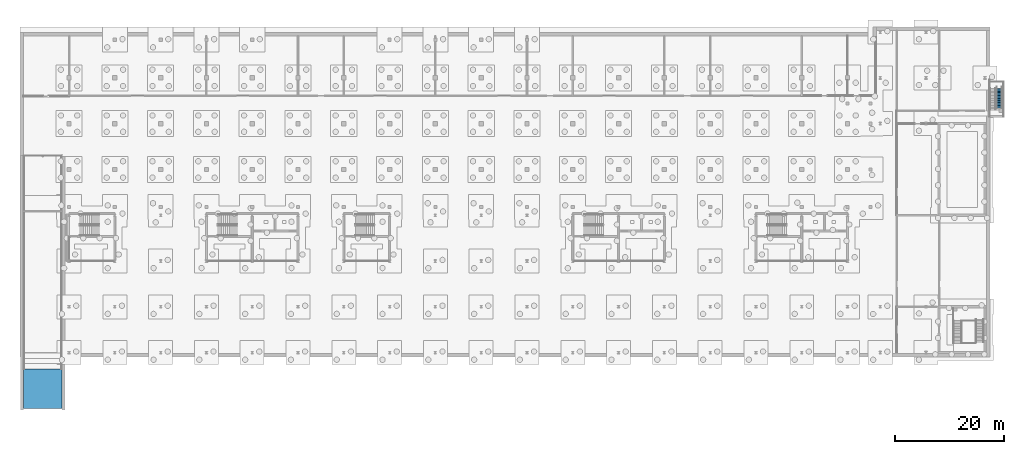
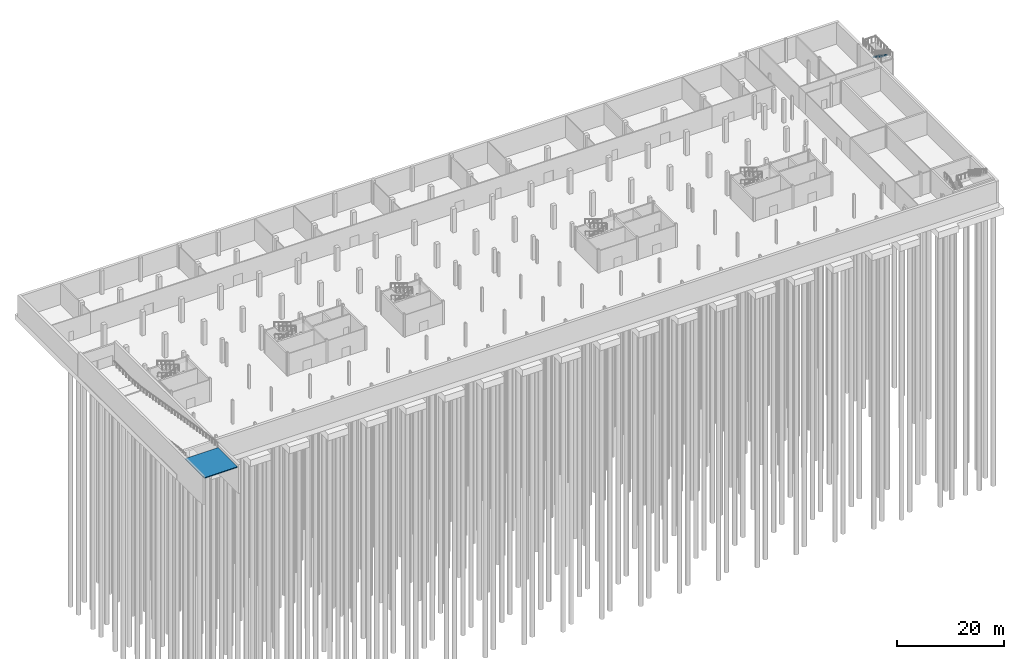
# One storey, part 23 of 29: 1 ramp flight, 1 stair flight, 2 elements without a shape of their own.
"""IFC4 building model written with IfcOpenShell, lengths in metres."""

from ifc_helpers import new_model, si_unit, direction, frame, origin, place, context, subcontext, project, spatial, polyline, outline, extrude, material, layer, layer_set, type_object, element, aggregate, save


model = new_model("IFC4")

# Units and contexts
model_context = context("Model", 3, precision=1e-05, world=origin(), true_north=direction((0.0, 1.0)))
body_context = subcontext(model_context, "Body", "Model", "MODEL_VIEW")
ifc_project = project(units=[si_unit("LENGTHUNIT", "METRE"), si_unit("AREAUNIT", "SQUARE_METRE"), si_unit("VOLUMEUNIT", "CUBIC_METRE"), si_unit("PLANEANGLEUNIT", "RADIAN"), si_unit("MASSUNIT", "GRAM", prefix="KILO")], contexts=[model_context])

# Site, building, storey
site_placement = place(None, origin())
site = spatial("IfcSite", under=ifc_project, at=site_placement, CompositionType="ELEMENT")
building_placement = place(site_placement, origin())
building = spatial("IfcBuilding", under=site, at=building_placement, Name="Cresset Court Congress Hotel", CompositionType="ELEMENT")
storey_placement = place(building_placement, frame((0.0, 0.0, -5.39990234375)))
storey = spatial("IfcBuildingStorey", under=building, at=storey_placement, Name="B1", CompositionType="ELEMENT", Elevation=-5.39990234375)

# Stair, stair flight
ifc_material_1 = material(Name="Concrete C40", Category="concrete")
stair_type = type_object("IfcStairType", Name="Concrete dog-leg stair 2300", PredefinedType="HALF_TURN_STAIR", material=ifc_material_1)
stair_placement = place(storey_placement, origin())
stair = element("IfcStair", 1, at=stair_placement, inside=storey, type_object=stair_type, Name="Stair A3 B1", PredefinedType="HALF_TURN_STAIR")
ifc_material_2 = material(Name="Concrete C40", Category="concrete")
stair_flight_type = type_object("IfcStairFlightType", Name="Concrete stair flight external", PredefinedType="STRAIGHT", material=ifc_material_2)
stair_flight_placement = place(storey_placement, frame((179.050048828125, 48.7099609375, 2.699951171875), z_axis=(0.0, 0.0, 1.0), x_axis=(0.0, -1.0, 0.0)))
stair_flight = element("IfcStairFlight", 2, at=stair_flight_placement, type_object=stair_flight_type, Name="A-ST3 flight 2", NumberOfRisers=16, NumberOfTreads=15, PredefinedType="STRAIGHT", RiserHeight=0.16875, TreadLength=0.26, context=body_context, shape_type="SweptSolid", body=[
    extrude(outline(polyline([(0.0, 0.0), (0.0, 0.168701171875), (0.260009765625, 0.168701171875), (0.260009765625, 0.33740234375), (0.52001953125, 0.33740234375), (0.52001953125, 0.50634765625), (0.780029296875, 0.50634765625), (0.780029296875, 0.675048828125), (1.0400390625, 0.675048828125), (1.0400390625, 0.84375), (1.300048828125, 0.84375), (1.300048828125, 1.012451171875), (1.56005859375, 1.012451171875), (1.56005859375, 1.18115234375), (1.820068359375, 1.18115234375), (1.820068359375, 1.35009765625), (2.080078125, 1.35009765625), (2.080078125, 1.518798828125), (2.340087890625, 1.518798828125), (2.340087890625, 1.6875), (2.60009765625, 1.6875), (2.60009765625, 1.856201171875), (2.860107421875, 1.856201171875), (2.860107421875, 2.02490234375), (3.1201171875, 2.02490234375), (3.1201171875, 2.19384765625), (3.3798828125, 2.19384765625), (3.3798828125, 2.362548828125), (3.639892578125, 2.362548828125), (3.639892578125, 2.53125), (3.89990234375, 2.53125), (3.89990234375, 2.699951171875), (3.89990234375, 2.3525390625), (0.275390625, 0.0), (0.0, 0.0)])), frame((0.0, 0.550048828125, 0.0), z_axis=(0.0, -1.0, 0.0), x_axis=(1.0, 0.0, 0.0)), (0.0, 0.0, 1.0), 1.10009765625),
])
aggregate(stair, [stair_flight])

# Ramp, ramp flight
ifc_material_3 = material(Name="Concrete C40", Category="concrete")
ramp_type = type_object("IfcRampType", Name="Car ramp 1:6", PredefinedType="STRAIGHT_RUN_RAMP", material=ifc_material_3)
ramp_placement = place(storey_placement, origin())
ramp = element("IfcRamp", 3, at=ramp_placement, inside=storey, type_object=ramp_type, Name="S.ramp.TR", PredefinedType="STRAIGHT_RUN_RAMP")
ifc_material_4 = material(Name="Concrete C35", Category="concrete")
ifc_layer = layer(ifc_material_4, 0.199951171875)
ifc_layer_set = layer_set([ifc_layer], Name="Car ramp head landing 200")
ramp_flight_type = type_object("IfcRampFlightType", Name="Car ramp head landing 200", PredefinedType="STRAIGHT", material=ifc_layer_set)
placement = place(building_placement, origin())
ramp_flight_placement = place(placement, frame((0.0, -10.25, -0.60009765625), z_axis=(0.0, 0.0, 1.0), x_axis=(1.0, 0.0, 0.0)))
ramp_flight = element("IfcRampFlight", 4, at=ramp_flight_placement, type_object=ramp_flight_type, Name="S.ramp.TR.L0", PredefinedType="STRAIGHT", context=body_context, shape_type="SweptSolid", body=[
    extrude(outline(polyline([(0.0, 0.0), (3.574951171875, 0.0), (7.14990234375, 0.0), (7.14990234375, 3.625), (7.14990234375, 7.25), (3.574951171875, 7.25), (0.0, 7.25), (0.0, 3.625), (0.0, 0.0)])), origin(), (0.0, 0.0, -1.0), 0.199951171875),
])
aggregate(ramp, [ramp_flight])

save(model, "model.ifc")
